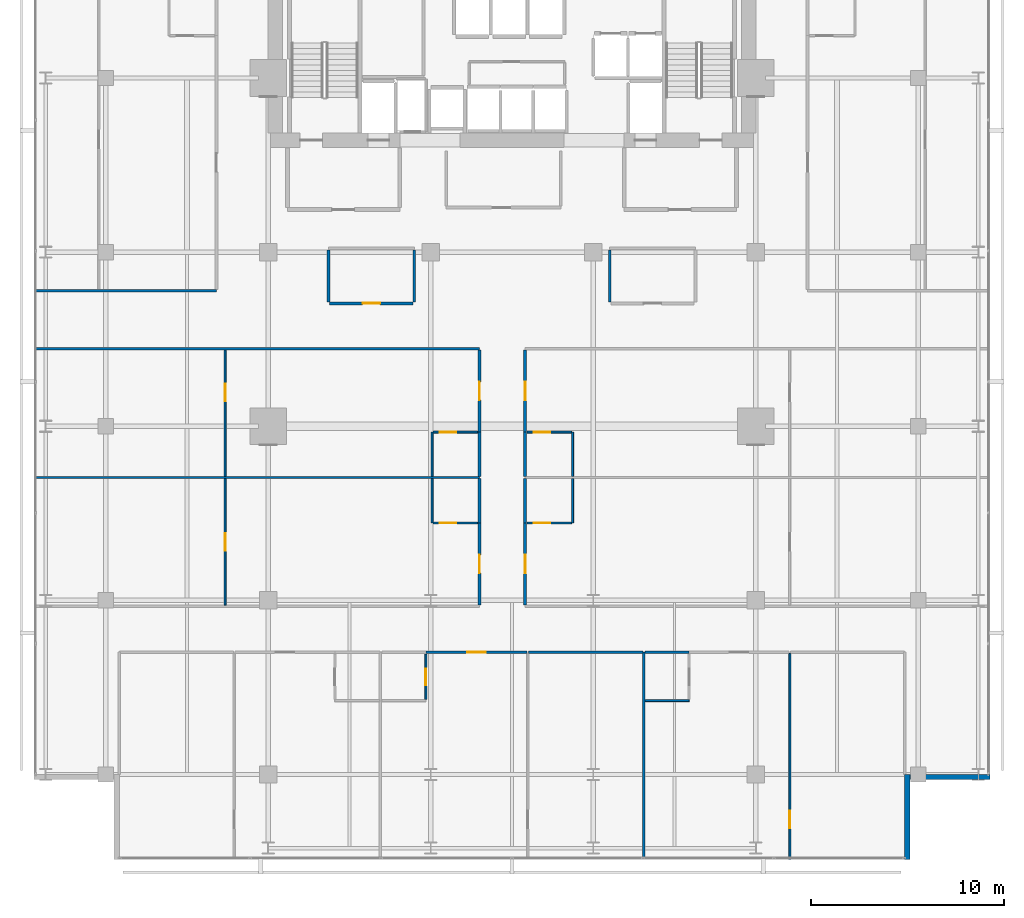
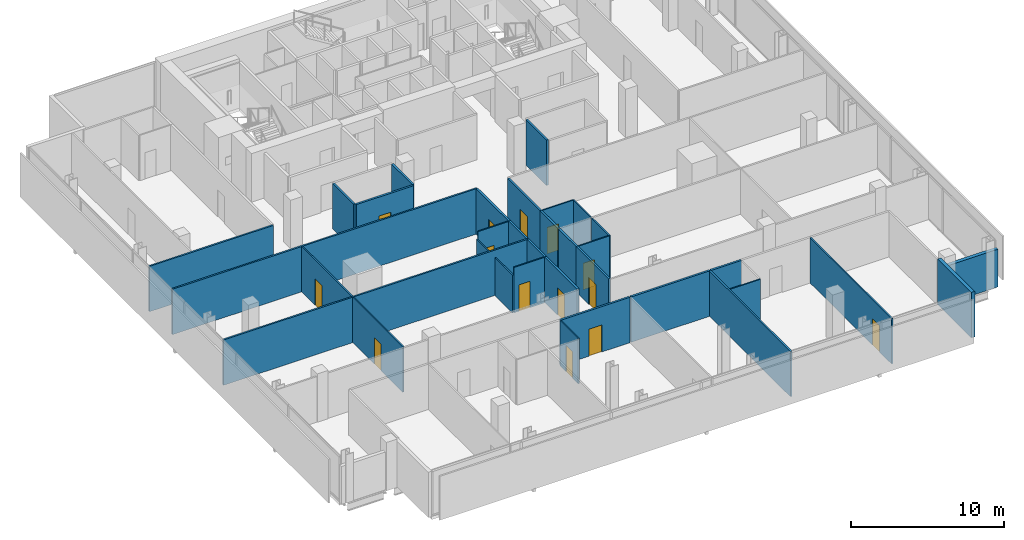
# One storey, part 27 of 32: 34 walls, 14 doors, 14 openings.
"""IFC4 building model written with IfcOpenShell, lengths in metres."""

from ifc_helpers import new_model, si_unit, direction, frame, frame_2d, origin, place, context, subcontext, project, spatial, rectangle, extrude, material, layer, layer_set, type_object, element, fill, save


model = new_model("IFC4")

# Units and contexts
model_context = context("Model", 3, precision=1e-05, world=origin(), true_north=direction((0.0, 1.0)))
body_context = subcontext(model_context, "Body", "Model", "MODEL_VIEW")
ifc_project = project(units=[si_unit("LENGTHUNIT", "METRE"), si_unit("AREAUNIT", "SQUARE_METRE"), si_unit("VOLUMEUNIT", "CUBIC_METRE"), si_unit("PLANEANGLEUNIT", "RADIAN"), si_unit("MASSUNIT", "GRAM", prefix="KILO")], contexts=[model_context])

# Site, building, storey
site_placement = place(None, origin())
site = spatial("IfcSite", under=ifc_project, at=site_placement, CompositionType="ELEMENT")
building_placement = place(site_placement, origin())
building = spatial("IfcBuilding", under=site, at=building_placement, Name="Maruvema Waterfront Hotel and Observation Tower", CompositionType="ELEMENT")
storey_placement = place(building_placement, frame((0.0, 0.0, 162.050048828125)))
storey = spatial("IfcBuildingStorey", under=building, at=storey_placement, Name="L39", CompositionType="ELEMENT", Elevation=162.050048828125)

# Walls
ifc_material_1 = material(Name="Twin-stud acoustic gypsum drywall", Category="gypsum")
ifc_layer_1 = layer(ifc_material_1, 0.14990234375, Name="Acoustic Corridor and Suite Demising Wall 150 mm")
ifc_layer_set_1 = layer_set([ifc_layer_1], Name="Twin-stud acoustic gypsum drywall")
wall_type_1 = type_object("IfcWallType", Name="Acoustic Corridor and Suite Demising Wall 150 mm", PredefinedType="PARTITIONING", material=ifc_layer_set_1)
for number, where, z_axis, x_axis, name in (
    (1, (28.320068359375, 33.429931640625, 0.0), (0.0, 0.0, 1.0), (0.0, 1.0, 0.0), "L39 L39-M1 West Wall 022"),
    (2, (32.75, 33.429931640625, 0.0), (0.0, 0.0, 1.0), (0.0, 1.0, 0.0), "L39 L39-M1 East Wall 023"),
):
    element("IfcWall", number, at=place(storey_placement, frame(where, z_axis=z_axis, x_axis=x_axis)), inside=storey, type_object=wall_type_1, Name=name, PredefinedType="PARTITIONING", context=body_context, shape_type="SweptSolid", body=[
        extrude(rectangle(XDim=2.690185546875, YDim=0.14990234375, at=frame_2d((1.34521484375, 0.0))), origin(), (0.0, 0.0, 1.0), 3.60986328125),
    ])

# Wall, opening, door
wall_1_placement = place(storey_placement, frame((28.3798828125, 33.35009765625, 0.0), z_axis=(0.0, 0.0, 1.0), x_axis=(1.0, 0.0, 0.0)))
wall_1 = element("IfcWall", 3, at=wall_1_placement, inside=storey, type_object=wall_type_1, Name="L39 L39-M1 Front 1 024", PredefinedType="PARTITIONING", context=body_context, shape_type="SweptSolid", body=[
    extrude(rectangle(XDim=4.31005859375, YDim=0.14990234375, at=frame_2d((2.155029296875, 0.0))), origin(), (0.0, 0.0, 1.0), 3.60986328125),
])
opening_1_placement = place(wall_1_placement, frame((1.705078125, 0.0, 0.0)))
opening_1 = element("IfcOpeningElement", 4, at=opening_1_placement, cuts=wall_1, Name="Opening DR-090", PredefinedType="OPENING", context=body_context, shape_type="SweptSolid", body=[
    extrude(rectangle(XDim=0.89990234375, YDim=2.10009765625, at=frame_2d((0.449951171875, 1.050048828125))), frame((0.0, 0.0849609375, 0.0), z_axis=(0.0, -1.0, 0.0), x_axis=(1.0, 0.0, 0.0)), (0.0, 0.0, 1.0), 0.169921875),
])
ifc_material_2 = material(Name="Solid-core lacquered timber leaf", Category="wood")
door_type_1 = type_object("IfcDoorType", Name="Accessible Toilet and Room Door 900x2100 mm", OperationType="NOTDEFINED", PredefinedType="DOOR", material=ifc_material_2)
door_1_placement = place(opening_1_placement, frame((0.89990234375, 0.0, 0.0), z_axis=(0.0, 0.0, 1.0), x_axis=(-1.0, 0.0, 0.0)))
door_1 = element("IfcDoor", 5, at=door_1_placement, inside=storey, type_object=door_type_1, Name="L39 Chef Kitchen 1 Door", OperationType="SINGLE_SWING_RIGHT", OverallHeight=2.10009765625, OverallWidth=0.89990234375, PredefinedType="DOOR", context=body_context, shape_type="SweptSolid", body=[
    extrude(rectangle(XDim=0.89990234375, YDim=2.10009765625, at=frame_2d((0.449951171875, 1.050048828125))), frame((0.0, 0.02490234375, 0.0), z_axis=(0.0, -1.0, 0.0), x_axis=(1.0, 0.0, 0.0)), (0.0, 0.0, 1.0), 0.050048828125),
])
fill(opening_1, door_1)

# Wall
wall_2_placement = place(storey_placement, frame((42.85009765625, 33.429931640625, 0.0), z_axis=(0.0, 0.0, 1.0), x_axis=(0.0, 1.0, 0.0)))
element("IfcWall", 6, at=wall_2_placement, inside=storey, type_object=wall_type_1, Name="L39 L39-M2 West Wall 026", PredefinedType="PARTITIONING", context=body_context, shape_type="SweptSolid", body=[
    extrude(rectangle(XDim=2.690185546875, YDim=0.14990234375, at=frame_2d((1.34521484375, 0.0))), origin(), (0.0, 0.0, 1.0), 3.60986328125),
])

# Wall, opening, door
wall_3_placement = place(storey_placement, frame((33.35009765625, 15.320068359375, 0.0), z_axis=(0.0, 0.0, 1.0), x_axis=(1.0, 0.0, 0.0)))
wall_3 = element("IfcWall", 7, at=wall_3_placement, inside=storey, type_object=wall_type_1, Name="L39 Unit L39-S2 Corridor Wall 041", PredefinedType="PARTITIONING", context=body_context, shape_type="SweptSolid", body=[
    extrude(rectangle(XDim=5.225830078125, YDim=0.14990234375, at=frame_2d((2.61279296875, 0.0))), origin(), (0.0, 0.0, 1.0), 3.60986328125),
])
opening_2_placement = place(wall_3_placement, frame((2.137939453125, 0.0, 0.0)))
opening_2 = element("IfcOpeningElement", 8, at=opening_2_placement, cuts=wall_3, Name="Opening DR-095", PredefinedType="OPENING", context=body_context, shape_type="SweptSolid", body=[
    extrude(rectangle(XDim=0.949951171875, YDim=2.14990234375, at=frame_2d((0.47509765625, 1.074951171875))), frame((0.0, 0.0849609375, 0.0), z_axis=(0.0, -1.0, 0.0), x_axis=(1.0, 0.0, 0.0)), (0.0, 0.0, 1.0), 0.169921875),
])
ifc_material_3 = material(Name="Acoustic solid-core hardwood timber leaf", Category="wood")
door_type_2 = type_object("IfcDoorType", Name="Guestroom Entrance Fire Door 950x2150 mm", OperationType="NOTDEFINED", PredefinedType="DOOR", material=ifc_material_3)
door_2_placement = place(opening_2_placement, frame((0.949951171875, 0.0, 0.0), z_axis=(0.0, 0.0, 1.0), x_axis=(-1.0, 0.0, 0.0)))
door_2 = element("IfcDoor", 9, at=door_2_placement, inside=storey, type_object=door_type_2, Name="L39 Unit L39-S2 Entrance Door", OperationType="SINGLE_SWING_RIGHT", OverallHeight=2.14990234375, OverallWidth=0.949951171875, PredefinedType="DOOR", context=body_context, shape_type="SweptSolid", body=[
    extrude(rectangle(XDim=0.949951171875, YDim=2.14990234375, at=frame_2d((0.47509765625, 1.074951171875))), frame((0.0, 0.02490234375, 0.0), z_axis=(0.0, -1.0, 0.0), x_axis=(1.0, 0.0, 0.0)), (0.0, 0.0, 1.0), 0.050048828125),
])
fill(opening_2, door_2)

# Walls
wall_4_placement = place(storey_placement, frame((38.656005859375, 15.320068359375, 0.0), z_axis=(0.0, 0.0, 1.0), x_axis=(1.0, 0.0, 0.0)))
element("IfcWall", 10, at=wall_4_placement, inside=storey, type_object=wall_type_1, Name="L39 Bedroom L39-S2 Back Wall 042", PredefinedType="PARTITIONING", context=body_context, shape_type="SweptSolid", body=[
    extrude(rectangle(XDim=5.924072265625, YDim=0.14990234375, at=frame_2d((2.9619140625, 0.0))), origin(), (0.0, 0.0, 1.0), 3.60986328125),
])
wall_5_placement = place(storey_placement, frame((44.679931640625, 15.320068359375, 0.0), z_axis=(0.0, 0.0, 1.0), x_axis=(1.0, 0.0, 0.0)))
element("IfcWall", 11, at=wall_5_placement, inside=storey, type_object=wall_type_1, Name="L39 Bath L39-S3 Back Wall 045", PredefinedType="PARTITIONING", context=body_context, shape_type="SweptSolid", body=[
    extrude(rectangle(XDim=2.27001953125, YDim=0.14990234375, at=frame_2d((1.135009765625, 0.0))), origin(), (0.0, 0.0, 1.0), 3.60986328125),
])

# Wall, opening, door
wall_6_placement = place(storey_placement, frame((36.1201171875, 17.760009765625, 0.0), z_axis=(0.0, 0.0, 1.0), x_axis=(0.0, 1.0, 0.0)))
wall_6 = element("IfcWall", 12, at=wall_6_placement, inside=storey, type_object=wall_type_1, Name="L39 Room L39-W1 Corridor Wall 055", PredefinedType="PARTITIONING", context=body_context, shape_type="SweptSolid", body=[
    extrude(rectangle(XDim=4.239990234375, YDim=0.14990234375, at=frame_2d((2.1201171875, 0.0))), origin(), (0.0, 0.0, 1.0), 3.60986328125),
])
opening_3_placement = place(wall_6_placement, frame((1.64501953125, 0.0, 0.0)))
opening_3 = element("IfcOpeningElement", 13, at=opening_3_placement, cuts=wall_6, Name="Opening DR-095", PredefinedType="OPENING", context=body_context, shape_type="SweptSolid", body=[
    extrude(rectangle(XDim=0.949951171875, YDim=2.14990234375, at=frame_2d((0.47509765625, 1.074951171875))), frame((0.0, 0.0849609375, 0.0), z_axis=(0.0, -1.0, 0.0), x_axis=(1.0, 0.0, 0.0)), (0.0, 0.0, 1.0), 0.169921875),
])
door_3_placement = place(opening_3_placement, origin())
door_3 = element("IfcDoor", 14, at=door_3_placement, inside=storey, type_object=door_type_2, Name="L39 Room L39-W1 Entrance Door", OperationType="SINGLE_SWING_RIGHT", OverallHeight=2.14990234375, OverallWidth=0.949951171875, PredefinedType="DOOR", context=body_context, shape_type="SweptSolid", body=[
    extrude(rectangle(XDim=0.949951171875, YDim=2.14990234375, at=frame_2d((0.47509765625, 1.074951171875))), frame((0.0, 0.02490234375, 0.0), z_axis=(0.0, -1.0, 0.0), x_axis=(1.0, 0.0, 0.0)), (0.0, 0.0, 1.0), 0.050048828125),
])
fill(opening_3, door_3)

# Wall
wall_7_placement = place(storey_placement, frame((36.1201171875, 22.0, 0.0), z_axis=(0.0, 0.0, 1.0), x_axis=(0.0, 1.0, 0.0)))
element("IfcWall", 15, at=wall_7_placement, inside=storey, type_object=wall_type_1, Name="L39 Bath L39-W1 Wall 056", PredefinedType="PARTITIONING", context=body_context, shape_type="SweptSolid", body=[
    extrude(rectangle(XDim=2.2900390625, YDim=0.14990234375, at=frame_2d((1.14501953125, 0.0))), origin(), (0.0, 0.0, 1.0), 3.60986328125),
])

# Wall, opening, door
wall_8_placement = place(storey_placement, frame((38.47998046875, 17.760009765625, 0.0), z_axis=(0.0, 0.0, 1.0), x_axis=(0.0, 1.0, 0.0)))
wall_8 = element("IfcWall", 16, at=wall_8_placement, inside=storey, type_object=wall_type_1, Name="L39 Room L39-E1 Corridor Wall 060", PredefinedType="PARTITIONING", context=body_context, shape_type="SweptSolid", body=[
    extrude(rectangle(XDim=4.239990234375, YDim=0.14990234375, at=frame_2d((2.1201171875, 0.0))), origin(), (0.0, 0.0, 1.0), 3.60986328125),
])
opening_4_placement = place(wall_8_placement, frame((1.64501953125, 0.0, 0.0)))
opening_4 = element("IfcOpeningElement", 17, at=opening_4_placement, cuts=wall_8, Name="Opening DR-095", PredefinedType="OPENING", context=body_context, shape_type="SweptSolid", body=[
    extrude(rectangle(XDim=0.949951171875, YDim=2.14990234375, at=frame_2d((0.47509765625, 1.074951171875))), frame((0.0, 0.0849609375, 0.0), z_axis=(0.0, -1.0, 0.0), x_axis=(1.0, 0.0, 0.0)), (0.0, 0.0, 1.0), 0.169921875),
])
door_4_placement = place(opening_4_placement, frame((0.949951171875, 0.0, 0.0), z_axis=(0.0, 0.0, 1.0), x_axis=(-1.0, 0.0, 0.0)))
door_4 = element("IfcDoor", 18, at=door_4_placement, inside=storey, type_object=door_type_2, Name="L39 Room L39-E1 Entrance Door", OperationType="SINGLE_SWING_LEFT", OverallHeight=2.14990234375, OverallWidth=0.949951171875, PredefinedType="DOOR", context=body_context, shape_type="SweptSolid", body=[
    extrude(rectangle(XDim=0.949951171875, YDim=2.14990234375, at=frame_2d((0.47509765625, 1.074951171875))), frame((0.0, 0.02490234375, 0.0), z_axis=(0.0, -1.0, 0.0), x_axis=(1.0, 0.0, 0.0)), (0.0, 0.0, 1.0), 0.050048828125),
])
fill(opening_4, door_4)

# Walls
for number, where, z_axis, x_axis, name in (
    (19, (38.47998046875, 22.0, 0.0), (0.0, 0.0, 1.0), (0.0, 1.0, 0.0), "L39 Bath L39-E1 Wall 061"),
    (20, (36.1201171875, 24.409912109375, 0.0), (0.0, 0.0, 1.0), (0.0, 1.0, 0.0), "L39 Bath L39-W2 Wall 067"),
):
    element("IfcWall", number, at=place(storey_placement, frame(where, z_axis=z_axis, x_axis=x_axis)), inside=storey, type_object=wall_type_1, Name=name, PredefinedType="PARTITIONING", context=body_context, shape_type="SweptSolid", body=[
        extrude(rectangle(XDim=2.2900390625, YDim=0.14990234375, at=frame_2d((1.14501953125, 0.0))), origin(), (0.0, 0.0, 1.0), 3.60986328125),
    ])

# Wall, opening, door
wall_9_placement = place(storey_placement, frame((36.1201171875, 26.699951171875, 0.0), z_axis=(0.0, 0.0, 1.0), x_axis=(0.0, 1.0, 0.0)))
wall_9 = element("IfcWall", 21, at=wall_9_placement, inside=storey, type_object=wall_type_1, Name="L39 Room L39-W2 Corridor Wall 068", PredefinedType="PARTITIONING", context=body_context, shape_type="SweptSolid", body=[
    extrude(rectangle(XDim=4.239990234375, YDim=0.14990234375, at=frame_2d((2.1201171875, 0.0))), origin(), (0.0, 0.0, 1.0), 3.60986328125),
])
opening_5_placement = place(wall_9_placement, frame((1.64501953125, 0.0, 0.0)))
opening_5 = element("IfcOpeningElement", 22, at=opening_5_placement, cuts=wall_9, Name="Opening DR-095", PredefinedType="OPENING", context=body_context, shape_type="SweptSolid", body=[
    extrude(rectangle(XDim=0.949951171875, YDim=2.14990234375, at=frame_2d((0.47509765625, 1.074951171875))), frame((0.0, 0.0849609375, 0.0), z_axis=(0.0, -1.0, 0.0), x_axis=(1.0, 0.0, 0.0)), (0.0, 0.0, 1.0), 0.169921875),
])
door_5_placement = place(opening_5_placement, origin())
door_5 = element("IfcDoor", 23, at=door_5_placement, inside=storey, type_object=door_type_2, Name="L39 Room L39-W2 Entrance Door", OperationType="SINGLE_SWING_RIGHT", OverallHeight=2.14990234375, OverallWidth=0.949951171875, PredefinedType="DOOR", context=body_context, shape_type="SweptSolid", body=[
    extrude(rectangle(XDim=0.949951171875, YDim=2.14990234375, at=frame_2d((0.47509765625, 1.074951171875))), frame((0.0, 0.02490234375, 0.0), z_axis=(0.0, -1.0, 0.0), x_axis=(1.0, 0.0, 0.0)), (0.0, 0.0, 1.0), 0.050048828125),
])
fill(opening_5, door_5)

# Wall
wall_10_placement = place(storey_placement, frame((38.47998046875, 24.409912109375, 0.0), z_axis=(0.0, 0.0, 1.0), x_axis=(0.0, 1.0, 0.0)))
element("IfcWall", 24, at=wall_10_placement, inside=storey, type_object=wall_type_1, Name="L39 Bath L39-E2 Wall 072", PredefinedType="PARTITIONING", context=body_context, shape_type="SweptSolid", body=[
    extrude(rectangle(XDim=2.2900390625, YDim=0.14990234375, at=frame_2d((1.14501953125, 0.0))), origin(), (0.0, 0.0, 1.0), 3.60986328125),
])

# Wall, opening, door
wall_11_placement = place(storey_placement, frame((38.47998046875, 26.699951171875, 0.0), z_axis=(0.0, 0.0, 1.0), x_axis=(0.0, 1.0, 0.0)))
wall_11 = element("IfcWall", 25, at=wall_11_placement, inside=storey, type_object=wall_type_1, Name="L39 Room L39-E2 Corridor Wall 073", PredefinedType="PARTITIONING", context=body_context, shape_type="SweptSolid", body=[
    extrude(rectangle(XDim=4.239990234375, YDim=0.14990234375, at=frame_2d((2.1201171875, 0.0))), origin(), (0.0, 0.0, 1.0), 3.60986328125),
])
opening_6_placement = place(wall_11_placement, frame((1.64501953125, 0.0, 0.0)))
opening_6 = element("IfcOpeningElement", 26, at=opening_6_placement, cuts=wall_11, Name="Opening DR-095", PredefinedType="OPENING", context=body_context, shape_type="SweptSolid", body=[
    extrude(rectangle(XDim=0.949951171875, YDim=2.14990234375, at=frame_2d((0.47509765625, 1.074951171875))), frame((0.0, 0.0849609375, 0.0), z_axis=(0.0, -1.0, 0.0), x_axis=(1.0, 0.0, 0.0)), (0.0, 0.0, 1.0), 0.169921875),
])
door_6_placement = place(opening_6_placement, frame((0.949951171875, 0.0, 0.0), z_axis=(0.0, 0.0, 1.0), x_axis=(-1.0, 0.0, 0.0)))
door_6 = element("IfcDoor", 27, at=door_6_placement, inside=storey, type_object=door_type_2, Name="L39 Room L39-E2 Entrance Door", OperationType="SINGLE_SWING_LEFT", OverallHeight=2.14990234375, OverallWidth=0.949951171875, PredefinedType="DOOR", context=body_context, shape_type="SweptSolid", body=[
    extrude(rectangle(XDim=0.949951171875, YDim=2.14990234375, at=frame_2d((0.47509765625, 1.074951171875))), frame((0.0, 0.02490234375, 0.0), z_axis=(0.0, -1.0, 0.0), x_axis=(1.0, 0.0, 0.0)), (0.0, 0.0, 1.0), 0.050048828125),
])
fill(opening_6, door_6)

ifc_material_4 = material(Name="Moisture-resistant cement-board drywall", Category="gypsum")
ifc_layer_2 = layer(ifc_material_4, 0.10009765625, Name="En-Suite Moisture-Resistant Partition 100 mm")
ifc_layer_set_2 = layer_set([ifc_layer_2], Name="Moisture-resistant cement-board drywall")
wall_type_2 = type_object("IfcWallType", Name="En-Suite Moisture-Resistant Partition 100 mm", PredefinedType="PARTITIONING", material=ifc_layer_set_2)
wall_12_placement = place(storey_placement, frame((33.35009765625, 12.8798828125, 0.0), z_axis=(0.0, 0.0, 1.0), x_axis=(0.0, 1.0, 0.0)))
wall_12 = element("IfcWall", 28, at=wall_12_placement, inside=storey, type_object=wall_type_2, Name="L39 En-Suite L39-S2 East 040", PredefinedType="PARTITIONING", context=body_context, shape_type="SweptSolid", body=[
    extrude(rectangle(XDim=2.340087890625, YDim=0.10009765625, at=frame_2d((1.169921875, 0.0))), origin(), (0.0, 0.0, 1.0), 3.60986328125),
])
opening_7_placement = place(wall_12_placement, frame((0.7451171875, 0.0, 0.0)))
opening_7 = element("IfcOpeningElement", 29, at=opening_7_placement, cuts=wall_12, Name="Opening DR-085", PredefinedType="OPENING", context=body_context, shape_type="SweptSolid", body=[
    extrude(rectangle(XDim=0.85009765625, YDim=2.10009765625, at=frame_2d((0.425048828125, 1.050048828125))), frame((0.0, 0.06005859375, 0.0), z_axis=(0.0, -1.0, 0.0), x_axis=(1.0, 0.0, 0.0)), (0.0, 0.0, 1.0), 0.1201171875),
])
ifc_material_5 = material(Name="Moisture-resistant solid timber leaf", Category="wood")
door_type_3 = type_object("IfcDoorType", Name="En-Suite Bathroom Door 850x2100 mm", OperationType="NOTDEFINED", PredefinedType="DOOR", material=ifc_material_5)
door_7_placement = place(opening_7_placement, frame((0.85009765625, 0.0, 0.0), z_axis=(0.0, 0.0, 1.0), x_axis=(-1.0, 0.0, 0.0)))
door_7 = element("IfcDoor", 30, at=door_7_placement, inside=storey, type_object=door_type_3, Name="L39 En-Suite L39-S2 Door", OperationType="SINGLE_SWING_LEFT", OverallHeight=2.10009765625, OverallWidth=0.85009765625, PredefinedType="DOOR", context=body_context, shape_type="SweptSolid", body=[
    extrude(rectangle(XDim=0.85009765625, YDim=2.10009765625, at=frame_2d((0.425048828125, 1.050048828125))), frame((0.0, 0.02490234375, 0.0), z_axis=(0.0, -1.0, 0.0), x_axis=(1.0, 0.0, 0.0)), (0.0, 0.0, 1.0), 0.050048828125),
])
fill(opening_7, door_7)

# Wall
wall_13_placement = place(storey_placement, frame((44.679931640625, 12.820068359375, 0.0), z_axis=(0.0, 0.0, 1.0), x_axis=(1.0, 0.0, 0.0)))
element("IfcWall", 31, at=wall_13_placement, inside=storey, type_object=wall_type_2, Name="L39 En-Suite L39-S3 South 046", PredefinedType="PARTITIONING", context=body_context, shape_type="SweptSolid", body=[
    extrude(rectangle(XDim=2.27001953125, YDim=0.10009765625, at=frame_2d((1.135009765625, 0.0))), origin(), (0.0, 0.0, 1.0), 3.60986328125),
])

# Wall, opening, door
wall_14_placement = place(storey_placement, frame((52.159912109375, 4.6298828125, 0.0), z_axis=(0.0, 0.0, 1.0), x_axis=(0.0, 1.0, 0.0)))
wall_14 = element("IfcWall", 32, at=wall_14_placement, inside=storey, type_object=wall_type_2, Name="L39 Suite L39-S3 Split 050", PredefinedType="PARTITIONING", context=body_context, shape_type="SweptSolid", body=[
    extrude(rectangle(XDim=10.630126953125, YDim=0.10009765625, at=frame_2d((5.31494140625, 0.0))), origin(), (0.0, 0.0, 1.0), 3.60986328125),
])
opening_8_placement = place(wall_14_placement, frame((1.60009765625, 0.0, 0.0)))
opening_8 = element("IfcOpeningElement", 33, at=opening_8_placement, cuts=wall_14, Name="Opening DR-090", PredefinedType="OPENING", context=body_context, shape_type="SweptSolid", body=[
    extrude(rectangle(XDim=0.89990234375, YDim=2.10009765625, at=frame_2d((0.449951171875, 1.050048828125))), frame((0.0, 0.06005859375, 0.0), z_axis=(0.0, -1.0, 0.0), x_axis=(1.0, 0.0, 0.0)), (0.0, 0.0, 1.0), 0.1201171875),
])
door_8_placement = place(opening_8_placement, origin())
door_8 = element("IfcDoor", 34, at=door_8_placement, inside=storey, type_object=door_type_1, Name="L39 Suite L39-S3 Bedroom Door", OperationType="SINGLE_SWING_RIGHT", OverallHeight=2.10009765625, OverallWidth=0.89990234375, PredefinedType="DOOR", context=body_context, shape_type="SweptSolid", body=[
    extrude(rectangle(XDim=0.89990234375, YDim=2.10009765625, at=frame_2d((0.449951171875, 1.050048828125))), frame((0.0, 0.02490234375, 0.0), z_axis=(0.0, -1.0, 0.0), x_axis=(1.0, 0.0, 0.0)), (0.0, 0.0, 1.0), 0.050048828125),
])
fill(opening_8, door_8)

# Wall
wall_15_placement = place(storey_placement, frame((33.669921875, 22.0, 0.0), z_axis=(0.0, 0.0, 1.0), x_axis=(0.0, 1.0, 0.0)))
element("IfcWall", 35, at=wall_15_placement, inside=storey, type_object=wall_type_2, Name="L39 En-Suite L39-W1 W 057", PredefinedType="PARTITIONING", context=body_context, shape_type="SweptSolid", body=[
    extrude(rectangle(XDim=2.2900390625, YDim=0.10009765625, at=frame_2d((1.14501953125, 0.0))), origin(), (0.0, 0.0, 1.0), 3.0068359375),
])

# Wall, opening, door
wall_16_placement = place(storey_placement, frame((33.719970703125, 22.0, 0.0), z_axis=(0.0, 0.0, 1.0), x_axis=(1.0, 0.0, 0.0)))
wall_16 = element("IfcWall", 36, at=wall_16_placement, inside=storey, type_object=wall_type_2, Name="L39 En-Suite L39-W1 S 058", PredefinedType="PARTITIONING", context=body_context, shape_type="SweptSolid", body=[
    extrude(rectangle(XDim=2.300048828125, YDim=0.10009765625, at=frame_2d((1.14990234375, 0.0))), origin(), (0.0, 0.0, 1.0), 3.60986328125),
])
opening_9_placement = place(wall_16_placement, frame((0.35009765625, 0.0, 0.0)))
opening_9 = element("IfcOpeningElement", 37, at=opening_9_placement, cuts=wall_16, Name="Opening DR-085", PredefinedType="OPENING", context=body_context, shape_type="SweptSolid", body=[
    extrude(rectangle(XDim=0.85009765625, YDim=2.10009765625, at=frame_2d((0.425048828125, 1.050048828125))), frame((0.0, 0.06005859375, 0.0), z_axis=(0.0, -1.0, 0.0), x_axis=(1.0, 0.0, 0.0)), (0.0, 0.0, 1.0), 0.1201171875),
])
door_9_placement = place(opening_9_placement, frame((0.85009765625, 0.0, 0.0), z_axis=(0.0, 0.0, 1.0), x_axis=(-1.0, 0.0, 0.0)))
door_9 = element("IfcDoor", 38, at=door_9_placement, inside=storey, type_object=door_type_3, Name="L39 En-Suite L39-W1 Door", OperationType="SINGLE_SWING_LEFT", OverallHeight=2.10009765625, OverallWidth=0.85009765625, PredefinedType="DOOR", context=body_context, shape_type="SweptSolid", body=[
    extrude(rectangle(XDim=0.85009765625, YDim=2.10009765625, at=frame_2d((0.425048828125, 1.050048828125))), frame((0.0, 0.02490234375, 0.0), z_axis=(0.0, -1.0, 0.0), x_axis=(1.0, 0.0, 0.0)), (0.0, 0.0, 1.0), 0.050048828125),
])
fill(opening_9, door_9)

wall_17_placement = place(storey_placement, frame((22.9736328125, 17.760009765625, 0.0), z_axis=(0.0, 0.0, 1.0), x_axis=(0.0, 1.0, 0.0)))
wall_17 = element("IfcWall", 39, at=wall_17_placement, inside=storey, type_object=wall_type_2, Name="L39 Suite L39-W1 Split 059", PredefinedType="PARTITIONING", context=body_context, shape_type="SweptSolid", body=[
    extrude(rectangle(XDim=6.530029296875, YDim=0.10009765625, at=frame_2d((3.26513671875, 0.0))), origin(), (0.0, 0.0, 1.0), 3.60986328125),
])
opening_10_placement = place(wall_17_placement, frame((2.81494140625, 0.0, 0.0)))
opening_10 = element("IfcOpeningElement", 40, at=opening_10_placement, cuts=wall_17, Name="Opening DR-090", PredefinedType="OPENING", context=body_context, shape_type="SweptSolid", body=[
    extrude(rectangle(XDim=0.89990234375, YDim=2.10009765625, at=frame_2d((0.449951171875, 1.050048828125))), frame((0.0, 0.06005859375, 0.0), z_axis=(0.0, -1.0, 0.0), x_axis=(1.0, 0.0, 0.0)), (0.0, 0.0, 1.0), 0.1201171875),
])
door_10_placement = place(opening_10_placement, origin())
door_10 = element("IfcDoor", 41, at=door_10_placement, inside=storey, type_object=door_type_1, Name="L39 Suite L39-W1 Bedroom Door", OperationType="SINGLE_SWING_LEFT", OverallHeight=2.10009765625, OverallWidth=0.89990234375, PredefinedType="DOOR", context=body_context, shape_type="SweptSolid", body=[
    extrude(rectangle(XDim=0.89990234375, YDim=2.10009765625, at=frame_2d((0.449951171875, 1.050048828125))), frame((0.0, 0.02490234375, 0.0), z_axis=(0.0, -1.0, 0.0), x_axis=(1.0, 0.0, 0.0)), (0.0, 0.0, 1.0), 0.050048828125),
])
fill(opening_10, door_10)

# Wall
wall_18_placement = place(storey_placement, frame((40.929931640625, 22.0, 0.0), z_axis=(0.0, 0.0, 1.0), x_axis=(0.0, 1.0, 0.0)))
element("IfcWall", 42, at=wall_18_placement, inside=storey, type_object=wall_type_2, Name="L39 En-Suite L39-E1 E 062", PredefinedType="PARTITIONING", context=body_context, shape_type="SweptSolid", body=[
    extrude(rectangle(XDim=2.2900390625, YDim=0.10009765625, at=frame_2d((1.14501953125, 0.0))), origin(), (0.0, 0.0, 1.0), 3.60986328125),
])

# Wall, opening, door
wall_19_placement = place(storey_placement, frame((38.580078125, 22.0, 0.0), z_axis=(0.0, 0.0, 1.0), x_axis=(1.0, 0.0, 0.0)))
wall_19 = element("IfcWall", 43, at=wall_19_placement, inside=storey, type_object=wall_type_2, Name="L39 En-Suite L39-E1 S 063", PredefinedType="PARTITIONING", context=body_context, shape_type="SweptSolid", body=[
    extrude(rectangle(XDim=2.2998046875, YDim=0.10009765625, at=frame_2d((1.14990234375, 0.0))), origin(), (0.0, 0.0, 1.0), 3.60986328125),
])
opening_11_placement = place(wall_19_placement, frame((0.35009765625, 0.0, 0.0)))
opening_11 = element("IfcOpeningElement", 44, at=opening_11_placement, cuts=wall_19, Name="Opening DR-085", PredefinedType="OPENING", context=body_context, shape_type="SweptSolid", body=[
    extrude(rectangle(XDim=0.85009765625, YDim=2.10009765625, at=frame_2d((0.425048828125, 1.050048828125))), frame((0.0, 0.06005859375, 0.0), z_axis=(0.0, -1.0, 0.0), x_axis=(1.0, 0.0, 0.0)), (0.0, 0.0, 1.0), 0.1201171875),
])
door_11_placement = place(opening_11_placement, frame((0.85009765625, 0.0, 0.0), z_axis=(0.0, 0.0, 1.0), x_axis=(-1.0, 0.0, 0.0)))
door_11 = element("IfcDoor", 45, at=door_11_placement, inside=storey, type_object=door_type_3, Name="L39 En-Suite L39-E1 Door", OperationType="SINGLE_SWING_RIGHT", OverallHeight=2.10009765625, OverallWidth=0.85009765625, PredefinedType="DOOR", context=body_context, shape_type="SweptSolid", body=[
    extrude(rectangle(XDim=0.85009765625, YDim=2.10009765625, at=frame_2d((0.425048828125, 1.050048828125))), frame((0.0, 0.02490234375, 0.0), z_axis=(0.0, -1.0, 0.0), x_axis=(1.0, 0.0, 0.0)), (0.0, 0.0, 1.0), 0.050048828125),
])
fill(opening_11, door_11)

# Wall
wall_20_placement = place(storey_placement, frame((33.669921875, 24.409912109375, 0.0), z_axis=(0.0, 0.0, 1.0), x_axis=(0.0, 1.0, 0.0)))
element("IfcWall", 46, at=wall_20_placement, inside=storey, type_object=wall_type_2, Name="L39 En-Suite L39-W2 W 069", PredefinedType="PARTITIONING", context=body_context, shape_type="SweptSolid", body=[
    extrude(rectangle(XDim=2.2900390625, YDim=0.10009765625, at=frame_2d((1.14501953125, 0.0))), origin(), (0.0, 0.0, 1.0), 3.0068359375),
])

# Wall, opening, door
wall_21_placement = place(storey_placement, frame((33.719970703125, 26.699951171875, 0.0), z_axis=(0.0, 0.0, 1.0), x_axis=(1.0, 0.0, 0.0)))
wall_21 = element("IfcWall", 47, at=wall_21_placement, inside=storey, type_object=wall_type_2, Name="L39 En-Suite L39-W2 N 070", PredefinedType="PARTITIONING", context=body_context, shape_type="SweptSolid", body=[
    extrude(rectangle(XDim=2.300048828125, YDim=0.10009765625, at=frame_2d((1.14990234375, 0.0))), origin(), (0.0, 0.0, 1.0), 3.60986328125),
])
opening_12_placement = place(wall_21_placement, frame((0.35009765625, 0.0, 0.0)))
opening_12 = element("IfcOpeningElement", 48, at=opening_12_placement, cuts=wall_21, Name="Opening DR-085", PredefinedType="OPENING", context=body_context, shape_type="SweptSolid", body=[
    extrude(rectangle(XDim=0.85009765625, YDim=2.10009765625, at=frame_2d((0.425048828125, 1.050048828125))), frame((0.0, 0.06005859375, 0.0), z_axis=(0.0, -1.0, 0.0), x_axis=(1.0, 0.0, 0.0)), (0.0, 0.0, 1.0), 0.1201171875),
])
door_12_placement = place(opening_12_placement, origin())
door_12 = element("IfcDoor", 49, at=door_12_placement, inside=storey, type_object=door_type_3, Name="L39 En-Suite L39-W2 Door", OperationType="SINGLE_SWING_LEFT", OverallHeight=2.10009765625, OverallWidth=0.85009765625, PredefinedType="DOOR", context=body_context, shape_type="SweptSolid", body=[
    extrude(rectangle(XDim=0.85009765625, YDim=2.10009765625, at=frame_2d((0.425048828125, 1.050048828125))), frame((0.0, 0.02490234375, 0.0), z_axis=(0.0, -1.0, 0.0), x_axis=(1.0, 0.0, 0.0)), (0.0, 0.0, 1.0), 0.050048828125),
])
fill(opening_12, door_12)

wall_22_placement = place(storey_placement, frame((22.9736328125, 24.409912109375, 0.0), z_axis=(0.0, 0.0, 1.0), x_axis=(0.0, 1.0, 0.0)))
wall_22 = element("IfcWall", 50, at=wall_22_placement, inside=storey, type_object=wall_type_2, Name="L39 Suite L39-W2 Split 071", PredefinedType="PARTITIONING", context=body_context, shape_type="SweptSolid", body=[
    extrude(rectangle(XDim=6.530029296875, YDim=0.10009765625, at=frame_2d((3.26513671875, 0.0))), origin(), (0.0, 0.0, 1.0), 3.60986328125),
])
opening_13_placement = place(wall_22_placement, frame((3.89501953125, 0.0, 0.0)))
opening_13 = element("IfcOpeningElement", 51, at=opening_13_placement, cuts=wall_22, Name="Opening DR-090", PredefinedType="OPENING", context=body_context, shape_type="SweptSolid", body=[
    extrude(rectangle(XDim=0.89990234375, YDim=2.10009765625, at=frame_2d((0.449951171875, 1.050048828125))), frame((0.0, 0.06005859375, 0.0), z_axis=(0.0, -1.0, 0.0), x_axis=(1.0, 0.0, 0.0)), (0.0, 0.0, 1.0), 0.1201171875),
])
door_13_placement = place(opening_13_placement, origin())
door_13 = element("IfcDoor", 52, at=door_13_placement, inside=storey, type_object=door_type_1, Name="L39 Suite L39-W2 Bedroom Door", OperationType="SINGLE_SWING_LEFT", OverallHeight=2.10009765625, OverallWidth=0.89990234375, PredefinedType="DOOR", context=body_context, shape_type="SweptSolid", body=[
    extrude(rectangle(XDim=0.89990234375, YDim=2.10009765625, at=frame_2d((0.449951171875, 1.050048828125))), frame((0.0, 0.02490234375, 0.0), z_axis=(0.0, -1.0, 0.0), x_axis=(1.0, 0.0, 0.0)), (0.0, 0.0, 1.0), 0.050048828125),
])
fill(opening_13, door_13)

# Wall
wall_23_placement = place(storey_placement, frame((40.929931640625, 24.409912109375, 0.0), z_axis=(0.0, 0.0, 1.0), x_axis=(0.0, 1.0, 0.0)))
element("IfcWall", 53, at=wall_23_placement, inside=storey, type_object=wall_type_2, Name="L39 En-Suite L39-E2 E 074", PredefinedType="PARTITIONING", context=body_context, shape_type="SweptSolid", body=[
    extrude(rectangle(XDim=2.2900390625, YDim=0.10009765625, at=frame_2d((1.14501953125, 0.0))), origin(), (0.0, 0.0, 1.0), 3.60986328125),
])

# Wall, opening, door
wall_24_placement = place(storey_placement, frame((38.580078125, 26.699951171875, 0.0), z_axis=(0.0, 0.0, 1.0), x_axis=(1.0, 0.0, 0.0)))
wall_24 = element("IfcWall", 54, at=wall_24_placement, inside=storey, type_object=wall_type_2, Name="L39 En-Suite L39-E2 N 075", PredefinedType="PARTITIONING", context=body_context, shape_type="SweptSolid", body=[
    extrude(rectangle(XDim=2.2998046875, YDim=0.10009765625, at=frame_2d((1.14990234375, 0.0))), origin(), (0.0, 0.0, 1.0), 3.60986328125),
])
opening_14_placement = place(wall_24_placement, frame((0.35009765625, 0.0, 0.0)))
opening_14 = element("IfcOpeningElement", 55, at=opening_14_placement, cuts=wall_24, Name="Opening DR-085", PredefinedType="OPENING", context=body_context, shape_type="SweptSolid", body=[
    extrude(rectangle(XDim=0.85009765625, YDim=2.10009765625, at=frame_2d((0.425048828125, 1.050048828125))), frame((0.0, 0.06005859375, 0.0), z_axis=(0.0, -1.0, 0.0), x_axis=(1.0, 0.0, 0.0)), (0.0, 0.0, 1.0), 0.1201171875),
])
door_14_placement = place(opening_14_placement, origin())
door_14 = element("IfcDoor", 56, at=door_14_placement, inside=storey, type_object=door_type_3, Name="L39 En-Suite L39-E2 Door", OperationType="SINGLE_SWING_RIGHT", OverallHeight=2.10009765625, OverallWidth=0.85009765625, PredefinedType="DOOR", context=body_context, shape_type="SweptSolid", body=[
    extrude(rectangle(XDim=0.85009765625, YDim=2.10009765625, at=frame_2d((0.425048828125, 1.050048828125))), frame((0.0, 0.02490234375, 0.0), z_axis=(0.0, -1.0, 0.0), x_axis=(1.0, 0.0, 0.0)), (0.0, 0.0, 1.0), 0.050048828125),
])
fill(opening_14, door_14)

# Walls
ifc_material_6 = material(Name="Precast concrete C45/55 with honed Pernambuco granite facing", Category="masonry")
ifc_layer_3 = layer(ifc_material_6, 0.260009765625, Name="Exterior Granite Clad Spandrel and Pier Wall 260 mm")
ifc_layer_set_3 = layer_set([ifc_layer_3], Name="Precast concrete C45/55 with honed Pernambuco granite facing")
wall_type_3 = type_object("IfcWallType", Name="Exterior Granite Clad Spandrel and Pier Wall 260 mm", PredefinedType="SOLIDWALL", material=ifc_layer_set_3)
wall_25_placement = place(storey_placement, frame((58.22998046875, 9.0, 0.0), z_axis=(0.0, 0.0, 1.0), x_axis=(0.0, -1.0, 0.0)))
element("IfcWall", 57, at=wall_25_placement, inside=storey, type_object=wall_type_3, Name="L39 Corner Notch Granite Pier Wall SE1", PredefinedType="SOLIDWALL", context=body_context, shape_type="SweptSolid", body=[
    extrude(rectangle(XDim=4.39990234375, YDim=0.260009765625, at=frame_2d((2.199951171875, 0.0))), origin(), (0.0, 0.0, 1.0), 3.60986328125),
])
wall_26_placement = place(storey_placement, frame((62.5, 8.8701171875, 0.0), z_axis=(0.0, 0.0, 1.0), x_axis=(-1.0, 0.0, 0.0)))
element("IfcWall", 58, at=wall_26_placement, inside=storey, type_object=wall_type_3, Name="L39 Corner Notch Granite Pier Wall SE2", PredefinedType="SOLIDWALL", context=body_context, shape_type="SweptSolid", body=[
    extrude(rectangle(XDim=4.39990234375, YDim=0.260009765625, at=frame_2d((2.199951171875, 0.0))), origin(), (0.0, 0.0, 1.0), 3.0068359375),
])
ifc_material_7 = material(Name="Acoustic gypsum plasterboard drywall", Category="gypsum")
ifc_layer_4 = layer(ifc_material_7, 0.125, Name="Guestroom Acoustic Demising Wall 125 mm")
ifc_layer_set_4 = layer_set([ifc_layer_4], Name="Acoustic gypsum plasterboard drywall")
wall_type_4 = type_object("IfcWallType", Name="Guestroom Acoustic Demising Wall 125 mm", PredefinedType="PARTITIONING", material=ifc_layer_set_4)
wall_27_placement = place(storey_placement, frame((44.60009765625, 4.699951171875, 0.0), z_axis=(0.0, 0.0, 1.0), x_axis=(0.0, 1.0, 0.0)))
element("IfcWall", 59, at=wall_27_placement, inside=storey, type_object=wall_type_4, Name="L39 Z2 S Demising 3 044", PredefinedType="PARTITIONING", context=body_context, shape_type="SweptSolid", body=[
    extrude(rectangle(XDim=10.6201171875, YDim=0.125, at=frame_2d((5.31005859375, 0.0))), origin(), (0.0, 0.0, 1.0), 3.60986328125),
])
for number, where, z_axis, x_axis, name in (
    (60, (13.199951171875, 31.0, 0.0), (0.0, 0.0, 1.0), (1.0, 0.0, 0.0), "L39 Z2 W Top End 053"),
    (61, (13.199951171875, 24.35009765625, 0.0), (0.0, 0.0, 1.0), (1.0, 0.0, 0.0), "L39 Z2 W Demising 2 065"),
):
    element("IfcWall", number, at=place(storey_placement, frame(where, z_axis=z_axis, x_axis=x_axis)), inside=storey, type_object=wall_type_4, Name=name, PredefinedType="PARTITIONING", context=body_context, shape_type="SweptSolid", body=[
        extrude(rectangle(XDim=22.920166015625, YDim=0.125, at=frame_2d((11.4599609375, 0.0))), origin(), (0.0, 0.0, 1.0), 3.60986328125),
    ])
wall_28_placement = place(storey_placement, frame((13.199951171875, 34.0, 0.0), z_axis=(0.0, 0.0, 1.0), x_axis=(1.0, 0.0, 0.0)))
element("IfcWall", 62, at=wall_28_placement, inside=storey, type_object=wall_type_4, Name="L39 Z2 NW Bot End 077", PredefinedType="PARTITIONING", context=body_context, shape_type="SweptSolid", body=[
    extrude(rectangle(XDim=9.320068359375, YDim=0.125, at=frame_2d((4.66015625, 0.0))), origin(), (0.0, 0.0, 1.0), 3.60986328125),
])

save(model, "model.ifc")
